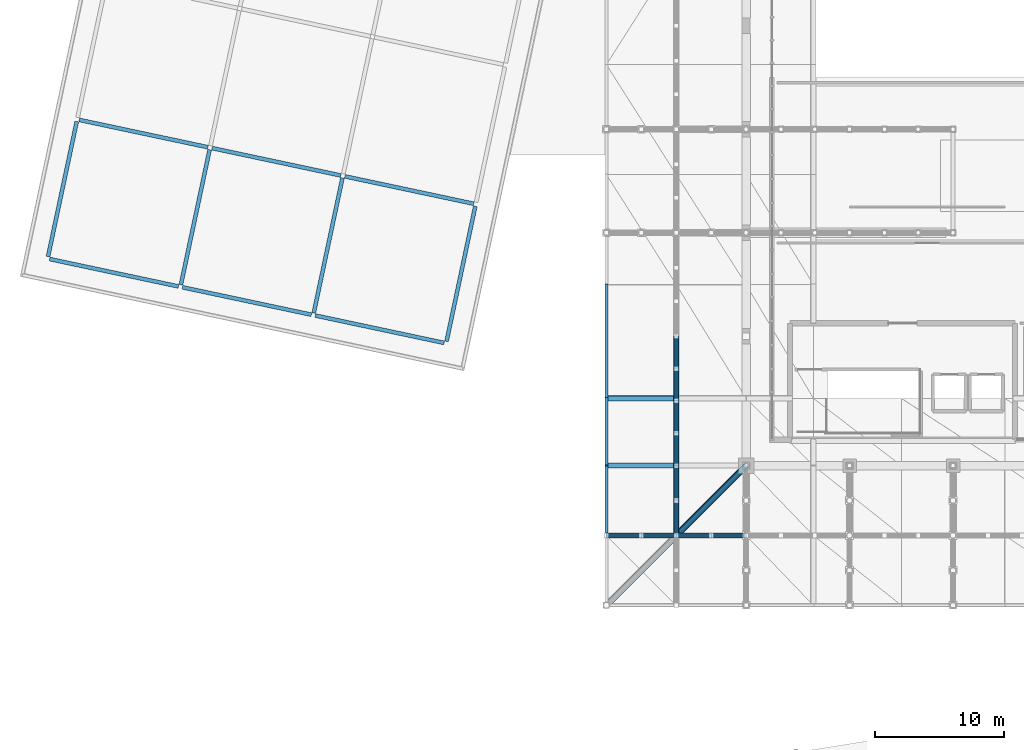
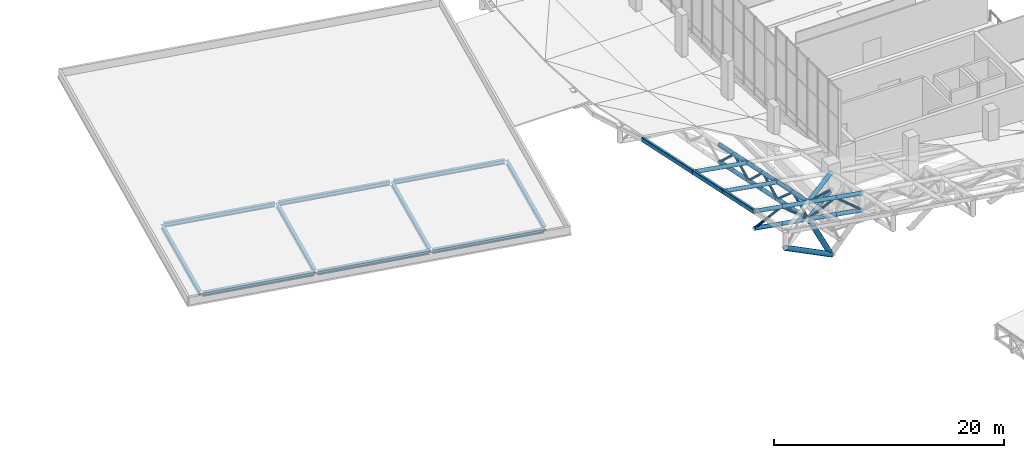
# One storey, part 11 of 137: 37 members, 13 beams.
"""IFC4 building model written with IfcOpenShell, lengths in metres."""

from ifc_helpers import new_model, si_unit, direction, frame, origin, origin_2d, place, context, subcontext, project, spatial, hollow_rectangle, hollow_circle, i_section, extrude, material, material_profile, profile_set, type_object, element, save


model = new_model("IFC4")

# Units and contexts
model_context = context("Model", 3, precision=1e-05, world=origin(), true_north=direction((0.0, 1.0)))
body_context = subcontext(model_context, "Body", "Model", "MODEL_VIEW")
ifc_project = project(units=[si_unit("LENGTHUNIT", "METRE"), si_unit("AREAUNIT", "SQUARE_METRE"), si_unit("VOLUMEUNIT", "CUBIC_METRE"), si_unit("PLANEANGLEUNIT", "RADIAN"), si_unit("MASSUNIT", "GRAM", prefix="KILO")], contexts=[model_context])

# Site, building, storey
site_placement = place(None, origin())
site = spatial("IfcSite", under=ifc_project, at=site_placement, CompositionType="ELEMENT")
building_placement = place(site_placement, origin())
building = spatial("IfcBuilding", under=site, at=building_placement, Name="Khorjan Park Terminus", CompositionType="ELEMENT")
storey_placement = place(building_placement, frame((0.0, 0.0, 11.4)))
storey = spatial("IfcBuildingStorey", under=building, at=storey_placement, Name="L02", CompositionType="ELEMENT", Elevation=11.4)

# Beams
ifc_material = material(Name="Steel S355", Category="steel")
ifc_material_profile_1 = material_profile(ifc_material, i_section(OverallWidth=0.3, OverallDepth=0.44, WebThickness=0.0115, FlangeThickness=0.021, FilletRadius=0.027, at=origin_2d()), Name="HEA 450")
ifc_profile_set_1 = profile_set([ifc_material_profile_1], Name="Steel S355")
beam_type_1 = type_object("IfcBeamType", Name="BM-HEA450", PredefinedType="BEAM", material=ifc_profile_set_1)
beam_1_placement = place(storey_placement, frame((-5.8435, 41.9667, -0.22), z_axis=(0.978148239262, -0.207908686758, 0.0), x_axis=(0.207908686758, 0.978148239262, 0.0)))
element("IfcBeam", 1, at=beam_1_placement, inside=storey, type_object=beam_type_1, Name="Pavilion flat roof girder SB-A45 (1)", PredefinedType="BEAM", context=body_context, shape_type="SweptSolid", body=[
    extrude(i_section(OverallWidth=0.3, OverallDepth=0.44, WebThickness=0.0115, FlangeThickness=0.021, FilletRadius=0.027, at=origin_2d()), origin(), (0.0, 0.0, 1.0), 10.1799),
])
beam_2_placement = place(storey_placement, frame((-3.5565, 52.7264, -0.22), z_axis=(0.978146666165, -0.207916087572, 0.0), x_axis=(0.207916087572, 0.978146666165, 0.0)))
element("IfcBeam", 2, at=beam_2_placement, inside=storey, type_object=beam_type_1, Name="Pavilion flat roof girder SB-A45 (1)", PredefinedType="BEAM", context=body_context, shape_type="SweptSolid", body=[
    extrude(i_section(OverallWidth=0.3, OverallDepth=0.44, WebThickness=0.0115, FlangeThickness=0.021, FilletRadius=0.027, at=origin_2d()), origin(), (0.0, 0.0, 1.0), 10.1801),
])
for number, where, z_axis, x_axis, name in (
    (3, (4.4271, 39.7837, -0.22), (0.978146241514, -0.207918085342, 0.0), (0.207918085342, 0.978146241514, 0.0), "Pavilion flat roof girder SB-A45 (2)"),
    (4, (6.7141, 50.5433, -0.22), (0.978146241514, -0.207918085342, 0.0), (0.207918085342, 0.978146241514, 0.0), "Pavilion flat roof girder SB-A45 (2)"),
    (5, (14.6976, 37.6006, -0.22), (0.978146241514, -0.207918085342, 0.0), (0.207918085342, 0.978146241514, 0.0), "Pavilion flat roof girder SB-A45 (3)"),
    (6, (16.9846, 48.3602, -0.22), (0.978148663875, -0.207906689071, 0.0), (0.207906689071, 0.978148663875, 0.0), "Pavilion flat roof girder SB-A45 (3)"),
):
    element("IfcBeam", number, at=place(storey_placement, frame(where, z_axis=z_axis, x_axis=x_axis)), inside=storey, type_object=beam_type_1, Name=name, PredefinedType="BEAM", context=body_context, shape_type="SweptSolid", body=[
        extrude(i_section(OverallWidth=0.3, OverallDepth=0.44, WebThickness=0.0115, FlangeThickness=0.021, FilletRadius=0.027, at=origin_2d()), origin(), (0.0, 0.0, 1.0), 10.18),
    ])
for number, where, z_axis, x_axis, name in (
    (7, (-5.9667, 42.1565, -0.22), (0.20791228413, 0.978147474621, 0.0), (-0.978147474621, 0.20791228413, 0.0), "Pavilion flat roof girder SB-A45 (V1)"),
    (8, (4.3038, 39.9734, -0.22), (0.20791228413, 0.978147474621, 0.0), (-0.978147474621, 0.20791228413, 0.0), "Pavilion flat roof girder SB-A45 (V1)"),
    (9, (14.5744, 37.7904, -0.22), (0.20791228413, 0.978147474621, 0.0), (-0.978147474621, 0.20791228413, 0.0), "Pavilion flat roof girder SB-A45 (V1)"),
    (10, (24.8449, 35.6073, -0.22), (0.20791228413, 0.978147474621, 0.0), (-0.978147474621, 0.20791228413, 0.0), "Pavilion flat roof girder SB-A45 (V1)"),
):
    element("IfcBeam", number, at=place(storey_placement, frame(where, z_axis=z_axis, x_axis=x_axis)), inside=storey, type_object=beam_type_1, Name=name, PredefinedType="BEAM", context=body_context, shape_type="SweptSolid", body=[
        extrude(i_section(OverallWidth=0.3, OverallDepth=0.44, WebThickness=0.0115, FlangeThickness=0.021, FilletRadius=0.027, at=origin_2d()), origin(), (0.0, 0.0, 1.0), 10.68),
    ])

# Members
ifc_material_profile_2 = material_profile(ifc_material, hollow_circle(Radius=0.1222, WallThickness=0.0125, at=origin_2d()), Name="CHS 244.5x12.5")
ifc_profile_set_2 = profile_set([ifc_material_profile_2], Name="Steel S355")
member_type_1 = type_object("IfcMemberType", Name="MB-BRE-245", PredefinedType="BRACE", material=ifc_profile_set_2)
member_1_placement = place(storey_placement, frame((37.2, 20.6, 4.6256), z_axis=(0.895485989032, 0.0, 0.445089702697), x_axis=(0.0, 1.0, 0.0)))
element("IfcMember", 11, at=member_1_placement, inside=storey, type_object=member_type_1, Name="Lower shell mid-ring diagonal (S1)", PredefinedType="BRACE", context=body_context, shape_type="SweptSolid", body=[
    extrude(hollow_circle(Radius=0.1222, WallThickness=0.0125, at=origin_2d()), origin(), (0.0, 0.0, 1.0), 3.0151),
])
member_2_placement = place(storey_placement, frame((39.9, 20.6, 5.9676), z_axis=(0.767102290967, 0.0, -0.641524804816), x_axis=(0.0, 1.0, 0.0)))
element("IfcMember", 12, at=member_2_placement, inside=storey, type_object=member_type_1, Name="Lower shell mid-ring diagonal (S2)", PredefinedType="BRACE", context=body_context, shape_type="SweptSolid", body=[
    extrude(hollow_circle(Radius=0.1222, WallThickness=0.0125, at=origin_2d()), origin(), (0.0, 0.0, 1.0), 3.5197),
])
member_3_placement = place(storey_placement, frame((42.6, 20.6, 3.7096), z_axis=(0.895499207917, 0.0, 0.445063106335), x_axis=(0.0, 1.0, 0.0)))
element("IfcMember", 13, at=member_3_placement, inside=storey, type_object=member_type_1, Name="Lower shell mid-ring diagonal (S3)", PredefinedType="BRACE", context=body_context, shape_type="SweptSolid", body=[
    extrude(hollow_circle(Radius=0.1222, WallThickness=0.0125, at=origin_2d()), origin(), (0.0, 0.0, 1.0), 3.0151),
])
member_4_placement = place(storey_placement, frame((45.3, 20.6, 5.0515), z_axis=(0.767102290967, 0.0, -0.641524804816), x_axis=(0.0, 1.0, 0.0)))
element("IfcMember", 14, at=member_4_placement, inside=storey, type_object=member_type_1, Name="Lower shell mid-ring diagonal (S4)", PredefinedType="BRACE", context=body_context, shape_type="SweptSolid", body=[
    extrude(hollow_circle(Radius=0.1222, WallThickness=0.0125, at=origin_2d()), origin(), (0.0, 0.0, 1.0), 3.5197),
])
member_5_placement = place(storey_placement, frame((42.6, 20.6, 3.7096), z_axis=(0.0, 0.910426516303, 0.413670833408), x_axis=(-1.0, 0.0, 0.0)))
element("IfcMember", 15, at=member_5_placement, inside=storey, type_object=member_type_1, Name="Lower shell mid-ring diagonal (W3)", PredefinedType="BRACE", context=body_context, shape_type="SweptSolid", body=[
    extrude(hollow_circle(Radius=0.1222, WallThickness=0.0125, at=origin_2d()), origin(), (0.0, 0.0, 1.0), 2.9656),
])
member_6_placement = place(storey_placement, frame((42.6, 23.3, 4.9364), z_axis=(0.0, 0.751099687052, -0.660188806411), x_axis=(-1.0, 0.0, 0.0)))
element("IfcMember", 16, at=member_6_placement, inside=storey, type_object=member_type_1, Name="Lower shell mid-ring diagonal (W4)", PredefinedType="BRACE", context=body_context, shape_type="SweptSolid", body=[
    extrude(hollow_circle(Radius=0.1222, WallThickness=0.0125, at=origin_2d()), origin(), (0.0, 0.0, 1.0), 3.5947),
])
member_7_placement = place(storey_placement, frame((42.6, 26.0, 2.5632), z_axis=(0.0, 0.891656802084, 0.452711991554), x_axis=(-1.0, 0.0, 0.0)))
element("IfcMember", 17, at=member_7_placement, inside=storey, type_object=member_type_1, Name="Lower shell mid-ring diagonal (W5)", PredefinedType="BRACE", context=body_context, shape_type="SweptSolid", body=[
    extrude(hollow_circle(Radius=0.1222, WallThickness=0.0125, at=origin_2d()), origin(), (0.0, 0.0, 1.0), 2.8038),
])
member_8_placement = place(storey_placement, frame((42.6, 28.5, 3.8325), z_axis=(0.0, 0.731439462043, -0.681906381673), x_axis=(-1.0, 0.0, 0.0)))
element("IfcMember", 18, at=member_8_placement, inside=storey, type_object=member_type_1, Name="Lower shell mid-ring diagonal (W6)", PredefinedType="BRACE", context=body_context, shape_type="SweptSolid", body=[
    extrude(hollow_circle(Radius=0.1222, WallThickness=0.0125, at=origin_2d()), origin(), (0.0, 0.0, 1.0), 3.4179),
])
member_9_placement = place(storey_placement, frame((42.6, 31.0, 1.5018), z_axis=(0.0, 0.891671199046, 0.452683634332), x_axis=(-1.0, 0.0, 0.0)))
element("IfcMember", 19, at=member_9_placement, inside=storey, type_object=member_type_1, Name="Lower shell mid-ring diagonal (W7)", PredefinedType="BRACE", context=body_context, shape_type="SweptSolid", body=[
    extrude(hollow_circle(Radius=0.1222, WallThickness=0.0125, at=origin_2d()), origin(), (0.0, 0.0, 1.0), 2.8037),
])
member_10_placement = place(storey_placement, frame((42.6, 33.5, 2.771), z_axis=(0.0, 0.731439462043, -0.681906381673), x_axis=(-1.0, 0.0, 0.0)))
element("IfcMember", 20, at=member_10_placement, inside=storey, type_object=member_type_1, Name="Lower shell mid-ring diagonal (W8)", PredefinedType="BRACE", context=body_context, shape_type="SweptSolid", body=[
    extrude(hollow_circle(Radius=0.1222, WallThickness=0.0125, at=origin_2d()), origin(), (0.0, 0.0, 1.0), 3.4179),
])
member_11_placement = place(storey_placement, frame((48.0, 26.0, 1.6951), z_axis=(-0.630990520592, -0.630990520592, 0.451333497368), x_axis=(0.707106781187, -0.707106781187, 0.0)))
element("IfcMember", 21, at=member_11_placement, inside=storey, type_object=member_type_1, Name="Lower shell upturned corner truss TBE-24 (SW)", PredefinedType="BRACE", context=body_context, shape_type="SweptSolid", body=[
    extrude(hollow_circle(Radius=0.1222, WallThickness=0.0125, at=origin_2d()), origin(), (0.0, 0.0, 1.0), 8.558),
])
ifc_material_profile_3 = material_profile(ifc_material, hollow_circle(Radius=0.2032, WallThickness=0.016, at=origin_2d()), Name="CHS 406.4x16")
ifc_profile_set_3 = profile_set([ifc_material_profile_3], Name="Steel S355")
member_type_2 = type_object("IfcMemberType", Name="MB-CHE-406", PredefinedType="CHORD", material=ifc_profile_set_3)
for number, where, z_axis, x_axis, name in (
    (22, (37.2, 26.0, 5.2793), (0.985913104802, 0.0, -0.167258332465), (0.0, 1.0, 0.0), "Lower wrapping shell rim chord (57)"),
    (23, (37.2, 31.2, 4.1754), (0.985913104802, 0.0, -0.167258332465), (0.0, 1.0, 0.0), "Lower wrapping shell rim chord (72)"),
):
    element("IfcMember", number, at=place(storey_placement, frame(where, z_axis=z_axis, x_axis=x_axis)), inside=storey, type_object=member_type_2, Name=name, PredefinedType="CHORD", context=body_context, shape_type="SweptSolid", body=[
        extrude(hollow_circle(Radius=0.2032, WallThickness=0.016, at=origin_2d()), origin(), (0.0, 0.0, 1.0), 5.4772),
    ])
for number, where, z_axis, x_axis, name in (
    (24, (37.2, 20.6, 6.4256), (0.985916115378, 0.0, -0.167240585497), (0.0, 1.0, 0.0), "Lower shell mid-ring top chord (S1)"),
    (25, (37.2, 20.6, 4.6256), (0.985916115378, 0.0, -0.167240585497), (0.0, 1.0, 0.0), "Lower shell mid-ring bottom chord (S1)"),
    (26, (39.9, 20.6, 5.9676), (0.985916115378, 0.0, -0.167240585497), (0.0, 1.0, 0.0), "Lower shell mid-ring top chord (S2)"),
    (27, (39.9, 20.6, 4.1676), (0.985916115378, 0.0, -0.167240585497), (0.0, 1.0, 0.0), "Lower shell mid-ring bottom chord (S2)"),
    (28, (42.6, 20.6, 5.5096), (0.985910093926, 0.0, -0.167276079269), (0.0, 1.0, 0.0), "Lower shell mid-ring top chord (S3)"),
    (29, (42.6, 20.6, 3.7096), (0.985910093926, 0.0, -0.167276079269), (0.0, 1.0, 0.0), "Lower shell mid-ring bottom chord (S3)"),
    (30, (45.3, 20.6, 5.0515), (0.985916115378, 0.0, -0.167240585497), (0.0, 1.0, 0.0), "Lower shell mid-ring top chord (S4)"),
    (31, (45.3, 20.6, 3.2515), (0.985916115378, 0.0, -0.167240585497), (0.0, 1.0, 0.0), "Lower shell mid-ring bottom chord (S4)"),
):
    element("IfcMember", number, at=place(storey_placement, frame(where, z_axis=z_axis, x_axis=x_axis)), inside=storey, type_object=member_type_2, Name=name, PredefinedType="CHORD", context=body_context, shape_type="SweptSolid", body=[
        extrude(hollow_circle(Radius=0.2032, WallThickness=0.016, at=origin_2d()), origin(), (0.0, 0.0, 1.0), 2.7386),
    ])
for number, where, z_axis, x_axis, name in (
    (32, (42.6, 20.6, 5.5096), (0.0, 0.978199346233, -0.207668098245), (-1.0, 0.0, 0.0), "Lower shell mid-ring top chord (W3)"),
    (33, (42.6, 20.6, 3.7096), (0.0, 0.978199346233, -0.207668098245), (-1.0, 0.0, 0.0), "Lower shell mid-ring bottom chord (W3)"),
    (34, (42.6, 23.3, 4.9364), (0.0, 0.978199346233, -0.207668098245), (-1.0, 0.0, 0.0), "Lower shell mid-ring top chord (W4)"),
    (35, (42.6, 23.3, 3.1364), (0.0, 0.978199346233, -0.207668098245), (-1.0, 0.0, 0.0), "Lower shell mid-ring bottom chord (W4)"),
):
    element("IfcMember", number, at=place(storey_placement, frame(where, z_axis=z_axis, x_axis=x_axis)), inside=storey, type_object=member_type_2, Name=name, PredefinedType="CHORD", context=body_context, shape_type="SweptSolid", body=[
        extrude(hollow_circle(Radius=0.2032, WallThickness=0.016, at=origin_2d()), origin(), (0.0, 0.0, 1.0), 2.7602),
    ])
for number, where, z_axis, x_axis, name in (
    (36, (42.6, 26.0, 4.3632), (0.0, 0.978202584398, -0.207652844616), (-1.0, 0.0, 0.0), "Lower shell mid-ring top chord (W5)"),
    (37, (42.6, 26.0, 2.5632), (0.0, 0.978202584398, -0.207652844616), (-1.0, 0.0, 0.0), "Lower shell mid-ring bottom chord (W5)"),
    (38, (42.6, 28.5, 3.8325), (0.0, 0.978202584398, -0.207652844616), (-1.0, 0.0, 0.0), "Lower shell mid-ring top chord (W6)"),
    (39, (42.6, 28.5, 2.0325), (0.0, 0.978202584398, -0.207652844616), (-1.0, 0.0, 0.0), "Lower shell mid-ring bottom chord (W6)"),
    (40, (42.6, 31.0, 3.3018), (0.0, 0.978194635789, -0.207690285071), (-1.0, 0.0, 0.0), "Lower shell mid-ring top chord (W7)"),
    (41, (42.6, 31.0, 1.5018), (0.0, 0.978194635789, -0.207690285071), (-1.0, 0.0, 0.0), "Lower shell mid-ring bottom chord (W7)"),
    (42, (42.6, 33.5, 2.771), (0.0, 0.978202584398, -0.207652844616), (-1.0, 0.0, 0.0), "Lower shell mid-ring top chord (W8)"),
    (43, (42.6, 33.5, 0.971), (0.0, 0.978202584398, -0.207652844616), (-1.0, 0.0, 0.0), "Lower shell mid-ring bottom chord (W8)"),
):
    element("IfcMember", number, at=place(storey_placement, frame(where, z_axis=z_axis, x_axis=x_axis)), inside=storey, type_object=member_type_2, Name=name, PredefinedType="CHORD", context=body_context, shape_type="SweptSolid", body=[
        extrude(hollow_circle(Radius=0.2032, WallThickness=0.016, at=origin_2d()), origin(), (0.0, 0.0, 1.0), 2.5557),
    ])
for number, where, z_axis, x_axis, name in (
    (44, (48.0, 26.0, 3.4951), (-0.682648477932, -0.682648477932, 0.260733793655), (0.707106781187, -0.707106781187, 0.0), "Lower shell upturned corner truss TCE-41 (SW)"),
    (45, (48.0, 26.0, 1.6951), (-0.682648477932, -0.682648477932, 0.260733793655), (0.707106781187, -0.707106781187, 0.0), "Lower shell upturned corner truss TCE-41 (SW)"),
):
    element("IfcMember", number, at=place(storey_placement, frame(where, z_axis=z_axis, x_axis=x_axis)), inside=storey, type_object=member_type_2, Name=name, PredefinedType="CHORD", context=body_context, shape_type="SweptSolid", body=[
        extrude(hollow_circle(Radius=0.2032, WallThickness=0.016, at=origin_2d()), origin(), (0.0, 0.0, 1.0), 7.9104),
    ])
ifc_material_profile_4 = material_profile(ifc_material, hollow_circle(Radius=0.254, WallThickness=0.02, at=origin_2d()), Name="CHS 508x20")
ifc_profile_set_4 = profile_set([ifc_material_profile_4], Name="Steel S355")
member_type_3 = type_object("IfcMemberType", Name="MB-STE-508", PredefinedType="STRUT", material=ifc_profile_set_4)
member_12_placement = place(storey_placement, frame((48.0, 26.0, -5.2), z_axis=(-0.458750995878, -0.458750995878, 0.760982948273), x_axis=(0.707106781187, -0.707106781187, 0.0)))
element("IfcMember", 46, at=member_12_placement, inside=storey, type_object=member_type_3, Name="Lower shell upturned corner truss STE-51 (SW)", PredefinedType="STRUT", context=body_context, shape_type="SweptSolid", body=[
    extrude(hollow_circle(Radius=0.254, WallThickness=0.02, at=origin_2d()), origin(), (0.0, 0.0, 1.0), 11.7711),
])
member_13_placement = place(storey_placement, frame((48.0, 26.0, -5.2), z_axis=(-0.573430346796, -0.573430346796, 0.585111335342), x_axis=(0.707106781187, -0.707106781187, 0.0)))
element("IfcMember", 47, at=member_13_placement, inside=storey, type_object=member_type_3, Name="Lower shell upturned corner truss STE-51 (SW)", PredefinedType="STRUT", context=body_context, shape_type="SweptSolid", body=[
    extrude(hollow_circle(Radius=0.254, WallThickness=0.02, at=origin_2d()), origin(), (0.0, 0.0, 1.0), 18.834),
])

# Beams
ifc_material_profile_5 = material_profile(ifc_material, hollow_rectangle(XDim=0.25, YDim=0.45, WallThickness=0.016, InnerFilletRadius=0.016, OuterFilletRadius=0.032, at=origin_2d()), Name="RHS 450x250x16")
ifc_profile_set_5 = profile_set([ifc_material_profile_5], Name="Steel S355")
beam_type_2 = type_object("IfcBeamType", Name="SP-RHS450", PredefinedType="SPANDREL", material=ifc_profile_set_5)
beam_3_placement = place(storey_placement, frame((37.2, 20.6, 6.4036), z_axis=(0.0, 0.978203025949, -0.207650764564), x_axis=(-1.0, 0.0, 0.0)))
element("IfcBeam", 48, at=beam_3_placement, inside=storey, type_object=beam_type_2, Name="Lower wrapping shell upturned edge beam SP-R45 (34)", PredefinedType="SPANDREL", context=body_context, shape_type="SweptSolid", body=[
    extrude(hollow_rectangle(XDim=0.25, YDim=0.45, WallThickness=0.016, InnerFilletRadius=0.016, OuterFilletRadius=0.032, at=origin_2d()), origin(), (0.0, 0.0, 1.0), 5.5203),
])
beam_4_placement = place(storey_placement, frame((37.2, 26.0, 5.2573), z_axis=(0.0, 0.97820090307, -0.207660764788), x_axis=(-1.0, 0.0, 0.0)))
element("IfcBeam", 49, at=beam_4_placement, inside=storey, type_object=beam_type_2, Name="Lower wrapping shell upturned edge beam SP-R45 (35)", PredefinedType="SPANDREL", context=body_context, shape_type="SweptSolid", body=[
    extrude(hollow_rectangle(XDim=0.25, YDim=0.45, WallThickness=0.016, InnerFilletRadius=0.016, OuterFilletRadius=0.032, at=origin_2d()), origin(), (0.0, 0.0, 1.0), 5.3159),
])
beam_5_placement = place(storey_placement, frame((37.2, 31.2, 4.1534), z_axis=(0.0, 0.978199513499, -0.207667310354), x_axis=(-1.0, 0.0, 0.0)))
element("IfcBeam", 50, at=beam_5_placement, inside=storey, type_object=beam_type_2, Name="Lower wrapping shell upturned edge beam SP-R45 (36)", PredefinedType="SPANDREL", context=body_context, shape_type="SweptSolid", body=[
    extrude(hollow_rectangle(XDim=0.25, YDim=0.45, WallThickness=0.016, InnerFilletRadius=0.016, OuterFilletRadius=0.032, at=origin_2d()), origin(), (0.0, 0.0, 1.0), 8.9961),
])

save(model, "model.ifc")
